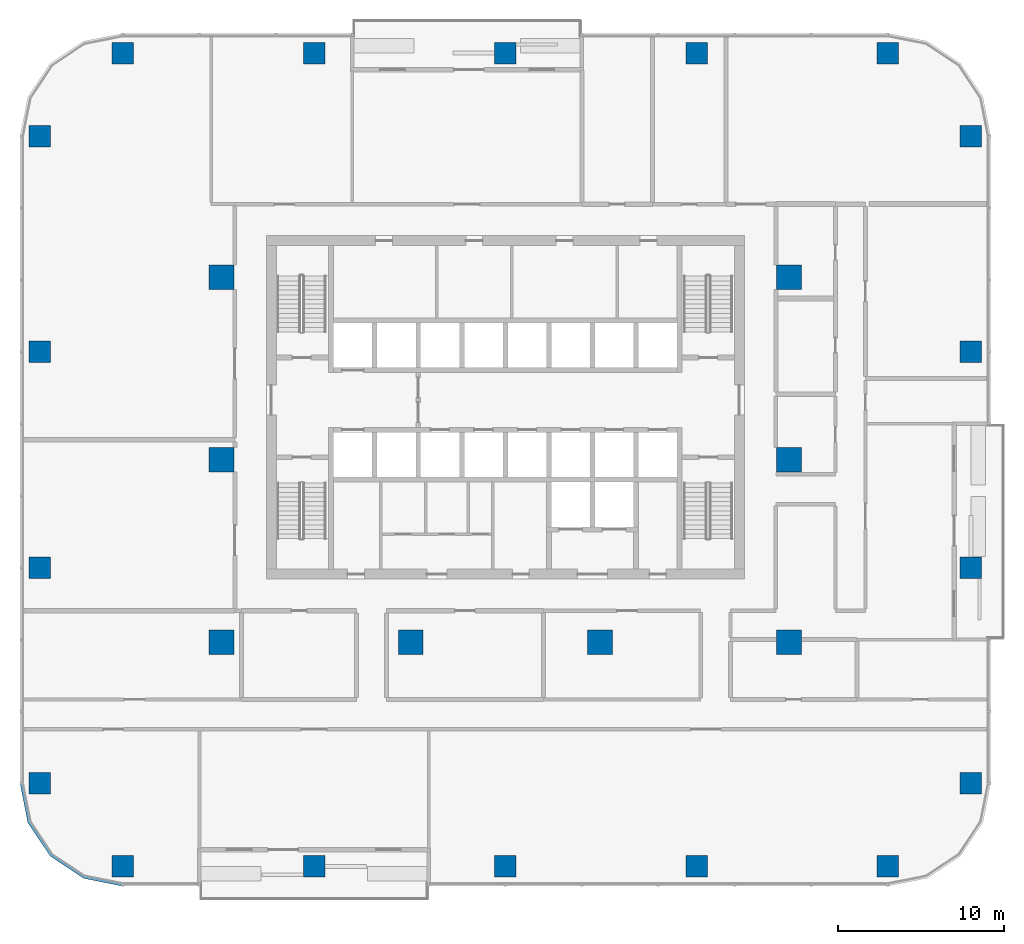
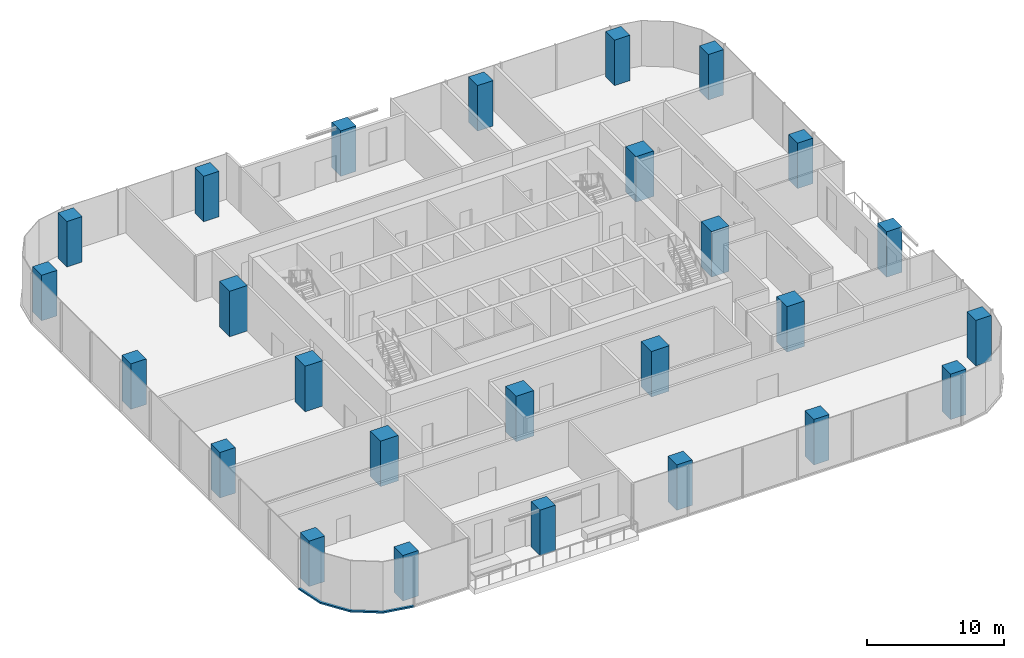
# One storey, part 1 of 14: 26 columns, 1 member, 1 element without a shape of its own.
"""IFC4 building model written with IfcOpenShell, lengths in metres."""

import ifcopenshell
import ifcopenshell.guid

model = None  # the IFC model being written
_history = None  # IfcOwnerHistory: only IFC2X3 demands one
_inside = {}  # id of a spatial element -> (the spatial element, [elements in it])
_under = {}  # id of a project, library or spatial element -> (it, [spatial elements below it])
_declared = {}  # id of a project -> (the project, [libraries it declares])
_typed = {}  # id of a type object -> (the type object, [elements of that type])
_made_of = {}  # id of a material, layer set ... -> (it, [elements and type objects made of it])


def new_model(schema):
    """Start an empty IFC model of exactly this schema.

    Asked for "IFC4X3", IfcOpenShell would pick the latest addendum, in which some entities
    have other attributes; the version numbers below select the first issue.
    IFC2X3 requires an IfcOwnerHistory on every rooted entity: one is made here for all.
    """
    global model, _history
    if schema == "IFC4X3":
        model = ifcopenshell.file(schema_version=(4, 3, 0, 0))
    else:
        model = ifcopenshell.file(schema=schema)
    _inside.clear()
    _under.clear()
    _declared.clear()
    _typed.clear()
    _made_of.clear()
    _history = None
    if model.schema == "IFC2X3":
        org = make("IfcOrganization", Name="unknown")
        user = make(
            "IfcPersonAndOrganization",
            ThePerson=make("IfcPerson", FamilyName="unknown"),
            TheOrganization=org,
        )
        app = make(
            "IfcApplication",
            ApplicationDeveloper=org,
            Version="unknown",
            ApplicationFullName="unknown",
            ApplicationIdentifier="unknown",
        )
        _history = make(
            "IfcOwnerHistory",
            OwningUser=user,
            OwningApplication=app,
            ChangeAction="ADDED",
            CreationDate=0,
        )
    return model


def make(cls, **values):
    """One entity of the class cls with the attributes given. An attribute that is None is left unset."""
    return model.create_entity(
        cls, **{name: value for name, value in values.items() if value is not None}
    )


def rooted(cls, **values):
    """An entity with a GlobalId (a new one), such as an element, a storey or a relation."""
    return make(cls, GlobalId=ifcopenshell.guid.new(), OwnerHistory=_history, **values)


def si_unit(unit_type, name, prefix=None):
    """IfcSIUnit, for example si_unit("LENGTHUNIT", "METRE", prefix="MILLI")."""
    return make("IfcSIUnit", UnitType=unit_type, Prefix=prefix, Name=name)


def assignment(units):
    """IfcUnitAssignment: the units of a project."""
    return None if units is None else make("IfcUnitAssignment", Units=units)


def point(xyz):
    """IfcCartesianPoint."""
    return None if xyz is None else make("IfcCartesianPoint", Coordinates=xyz)


def direction(xyz):
    """IfcDirection."""
    return None if xyz is None else make("IfcDirection", DirectionRatios=xyz)


def frame(location, z_axis=None, x_axis=None):
    """IfcAxis2Placement3D, a coordinate frame: its origin and axes. An axis left out is left unset."""
    return make(
        "IfcAxis2Placement3D",
        Location=point(location),
        Axis=direction(z_axis),
        RefDirection=direction(x_axis),
    )


def frame_2d(location, x_axis=None):
    """IfcAxis2Placement2D, a coordinate frame in the plane: its origin and x axis."""
    return make(
        "IfcAxis2Placement2D", Location=point(location), RefDirection=direction(x_axis)
    )


def origin():
    """The frame at (0, 0, 0) with its axes left unset."""
    return frame((0.0, 0.0, 0.0))


def origin_2d():
    """The frame at (0, 0) in the plane with its x axis left unset."""
    return frame_2d((0.0, 0.0))


def place(relative_to, where):
    """IfcLocalPlacement: puts the frame where relative to a parent placement (None: the world)."""
    return make(
        "IfcLocalPlacement", PlacementRelTo=relative_to, RelativePlacement=where
    )


def context(
    kind, dimensions, precision=None, world=None, true_north=None, identifier=None
):
    """IfcGeometricRepresentationContext, for example the 3D "Model" context."""
    return make(
        "IfcGeometricRepresentationContext",
        ContextIdentifier=identifier,
        ContextType=kind,
        CoordinateSpaceDimension=dimensions,
        Precision=precision,
        WorldCoordinateSystem=world,
        TrueNorth=true_north,
    )


def subcontext(parent, identifier, kind, view, scale=None):
    """IfcGeometricRepresentationSubContext, for example "Body" below "Model"."""
    return make(
        "IfcGeometricRepresentationSubContext",
        ContextIdentifier=identifier,
        ContextType=kind,
        ParentContext=parent,
        TargetScale=scale,
        TargetView=view,
    )


def project(units=None, contexts=None):
    """IfcProject with its units and contexts."""
    return rooted(
        "IfcProject",
        Name="project",
        RepresentationContexts=contexts,
        UnitsInContext=assignment(units),
    )


def spatial(cls, under=None, at=None, **own):
    """A site, building, storey or space (cls), placed at a placement, below another one or the project."""
    s = rooted(cls, ObjectPlacement=at, **own)
    if under is not None:
        _under.setdefault(under.id(), (under, []))[1].append(s)
    return s


def polyline(points):
    """IfcPolyline through the points."""
    return make("IfcPolyline", Points=[point(p) for p in points])


def profile(cls, at=None, kind="AREA", **sizes):
    """A parametric profile (cls). Its sizes go by their IFC names, for example OverallWidth=200.0."""
    return make(cls, ProfileType=kind, Position=at, **sizes)


def rectangle(**sizes):
    """IfcRectangleProfileDef."""
    return profile("IfcRectangleProfileDef", **sizes)


def outline(outer, holes=None, kind="AREA"):
    """IfcArbitraryClosedProfileDef: a profile drawn as a closed curve; with holes, ...WithVoids."""
    if holes is None:
        return make("IfcArbitraryClosedProfileDef", ProfileType=kind, OuterCurve=outer)
    return make(
        "IfcArbitraryProfileDefWithVoids",
        ProfileType=kind,
        OuterCurve=outer,
        InnerCurves=holes,
    )


def extrude(swept, where, along, depth):
    """IfcExtrudedAreaSolid: the profile swept, set in the frame where, extruded along a direction by depth."""
    return make(
        "IfcExtrudedAreaSolid",
        SweptArea=swept,
        Position=where,
        ExtrudedDirection=direction(along),
        Depth=depth,
    )


def shape(context_of_items, identifier, shape_type, items):
    """IfcShapeRepresentation: the items that make up one representation, for example the "Body"."""
    return make(
        "IfcShapeRepresentation",
        ContextOfItems=context_of_items,
        RepresentationIdentifier=identifier,
        RepresentationType=shape_type,
        Items=items,
    )


def material(Name=None, Category=None):
    """IfcMaterial."""
    return make("IfcMaterial", Name=Name, Category=Category)


def material_profile(
    of_material, cross_section, Name=None, Category=None, Priority=None
):
    """IfcMaterialProfile: a cross section and its material."""
    return make(
        "IfcMaterialProfile",
        Name=Name,
        Material=of_material,
        Profile=cross_section,
        Priority=Priority,
        Category=Category,
    )


def profile_set(profiles, Name=None, composite=None):
    """IfcMaterialProfileSet."""
    return make(
        "IfcMaterialProfileSet",
        Name=Name,
        MaterialProfiles=profiles,
        CompositeProfile=composite,
    )


def made_of(thing, what):
    """Note that an element or type object is made of a material, layer set ...; save() writes the relation."""
    if what is not None:
        _made_of.setdefault(what.id(), (what, []))[1].append(thing)
    return thing


def type_object(cls, material=None, **own):
    """A type object (cls), such as IfcWallType, which elements share."""
    return made_of(rooted(cls, **own), material)


def element(
    cls,
    number,
    at=None,
    inside=None,
    cuts=None,
    type_object=None,
    material=None,
    context=None,
    identifier="Body",
    shape_type=None,
    held_by="IfcProductDefinitionShape",
    body=None,
    shapes=None,
    **own,
):
    """One element of the class cls, such as IfcWall. Its Tag is "e" and its number.

    at: its placement. inside: the storey or other place that contains it. cuts: it is an
    opening in that element (IfcRelVoidsElement). A single representation is given by context,
    identifier, shape_type and body (its items); several are given by shapes. held_by: the class
    of the entity that holds the representations. save() writes the other relations.
    """
    e = rooted(cls, Tag="e%d" % number, ObjectPlacement=at, **own)
    if body is not None:
        shapes = [shape(context, identifier, shape_type, body)]
    if shapes is not None:
        e.Representation = make(held_by, Representations=shapes)
    if inside is not None:
        _inside.setdefault(inside.id(), (inside, []))[1].append(e)
    if cuts is not None:
        rooted(
            "IfcRelVoidsElement", RelatingBuildingElement=cuts, RelatedOpeningElement=e
        )
    if type_object is not None:
        _typed.setdefault(type_object.id(), (type_object, []))[1].append(e)
    return made_of(e, material)


def aggregate(whole, parts):
    """IfcRelAggregates: a whole, such as a stair, and the parts it consists of."""
    return rooted("IfcRelAggregates", RelatingObject=whole, RelatedObjects=parts)


def save(model, path):
    """Write the relations noted so far, then the file.

    IfcRelAggregates (storeys below a building ...), IfcRelContainedInSpatialStructure (elements
    in a storey), IfcRelDefinesByType, IfcRelAssociatesMaterial and IfcRelDeclares: one each for
    every whole, place, type object, material and project.
    """
    for whole, parts in _under.values():
        aggregate(whole, parts)
    for where, things in _inside.values():
        rooted(
            "IfcRelContainedInSpatialStructure",
            RelatedElements=things,
            RelatingStructure=where,
        )
    for kind, things in _typed.values():
        rooted("IfcRelDefinesByType", RelatedObjects=things, RelatingType=kind)
    for what, things in _made_of.values():
        rooted("IfcRelAssociatesMaterial", RelatedObjects=things, RelatingMaterial=what)
    for by, libraries in _declared.values():
        rooted("IfcRelDeclares", RelatingContext=by, RelatedDefinitions=libraries)
    model.write(path)


model = new_model("IFC4")

# Units and contexts
model_context = context("Model", 3, precision=1e-05, world=origin(), true_north=direction((0.0, 1.0)))
body_context = subcontext(model_context, "Body", "Model", "MODEL_VIEW")
ifc_project = project(units=[si_unit("LENGTHUNIT", "METRE"), si_unit("AREAUNIT", "SQUARE_METRE"), si_unit("VOLUMEUNIT", "CUBIC_METRE"), si_unit("PLANEANGLEUNIT", "RADIAN"), si_unit("MASSUNIT", "GRAM", prefix="KILO")], contexts=[model_context])

# Site, building, storey
site_placement = place(None, origin())
site = spatial("IfcSite", under=ifc_project, at=site_placement, CompositionType="ELEMENT")
building_placement = place(site_placement, origin())
building = spatial("IfcBuilding", under=site, at=building_placement, Name="Mopane Tessera Tower", CompositionType="ELEMENT")
storey_placement = place(building_placement, frame((0.0, 0.0, 130.60009765625)))
storey = spatial("IfcBuildingStorey", under=building, at=storey_placement, Name="L26", CompositionType="ELEMENT", Elevation=130.60009765625)

# Columns
ifc_material_1 = material(Name="Concrete C60/75", Category="concrete")
ifc_material_profile_1 = material_profile(ifc_material_1, rectangle(XDim=1.5, YDim=1.5, at=origin_2d()))
ifc_profile_set_1 = profile_set([ifc_material_profile_1], Name="Concrete C60/75")
column_type_1 = type_object("IfcColumnType", Name="Interior column 1500 x 1500 C60/75", PredefinedType="COLUMN", material=ifc_profile_set_1)
for number, where, z_axis, x_axis, name in (
    (1, (-17.10009765625, -11.0, 0.0), (0.0, 0.0, 1.0), (1.0, 0.0, 0.0), "Interior column I1A L26"),
    (2, (-17.10009765625, 0.0, 0.0), (0.0, 0.0, 1.0), (1.0, 0.0, 0.0), "Interior column I1B L26"),
    (3, (-17.10009765625, 11.0, 0.0), (0.0, 0.0, 1.0), (1.0, 0.0, 0.0), "Interior column I1C L26"),
    (4, (-5.699951171875, -11.0, 0.0), (0.0, 0.0, 1.0), (1.0, 0.0, 0.0), "Interior column I2A L26"),
    (5, (5.699951171875, -11.0, 0.0), (0.0, 0.0, 1.0), (1.0, 0.0, 0.0), "Interior column I3A L26"),
    (6, (17.10009765625, -11.0, 0.0), (0.0, 0.0, 1.0), (1.0, 0.0, 0.0), "Interior column I4A L26"),
    (7, (17.10009765625, 0.0, 0.0), (0.0, 0.0, 1.0), (1.0, 0.0, 0.0), "Interior column I4B L26"),
    (8, (17.10009765625, 11.0, 0.0), (0.0, 0.0, 1.0), (1.0, 0.0, 0.0), "Interior column I4C L26"),
):
    element("IfcColumn", number, at=place(storey_placement, frame(where, z_axis=z_axis, x_axis=x_axis)), inside=storey, type_object=column_type_1, Name=name, PredefinedType="COLUMN", context=body_context, shape_type="SweptSolid", body=[
        extrude(rectangle(XDim=1.5, YDim=1.5, at=origin_2d()), origin(), (0.0, 0.0, 1.0), 4.0498046875),
    ])
ifc_material_2 = material(Name="Concrete C60/75", Category="concrete")
ifc_material_profile_2 = material_profile(ifc_material_2, rectangle(XDim=1.300048828125, YDim=1.300048828125, at=origin_2d()))
ifc_profile_set_2 = profile_set([ifc_material_profile_2], Name="Concrete C60/75")
column_type_2 = type_object("IfcColumnType", Name="Ring column 1300 x 1300 C60/75", PredefinedType="COLUMN", material=ifc_profile_set_2)
for number, where, z_axis, x_axis, name in (
    (9, (-23.050048828125, -24.5, 0.0), (0.0, 0.0, 1.0), (1.0, 0.0, 0.0), "Ring column S0 L26"),
    (10, (-11.52490234375, -24.5, 0.0), (0.0, 0.0, 1.0), (1.0, 0.0, 0.0), "Ring column S1 L26"),
    (11, (0.0, -24.5, 0.0), (0.0, 0.0, 1.0), (1.0, 0.0, 0.0), "Ring column S2 L26"),
    (12, (11.52490234375, -24.5, 0.0), (0.0, 0.0, 1.0), (1.0, 0.0, 0.0), "Ring column S3 L26"),
    (13, (23.050048828125, -24.5, 0.0), (0.0, 0.0, 1.0), (1.0, 0.0, 0.0), "Ring column S4 L26"),
    (14, (28.050048828125, -19.5, 0.0), (0.0, 0.0, 1.0), (1.0, 0.0, 0.0), "Ring column E0 L26"),
    (15, (28.050048828125, -6.5, 0.0), (0.0, 0.0, 1.0), (1.0, 0.0, 0.0), "Ring column E1 L26"),
    (16, (28.050048828125, 6.5, 0.0), (0.0, 0.0, 1.0), (1.0, 0.0, 0.0), "Ring column E2 L26"),
    (17, (28.050048828125, 19.5, 0.0), (0.0, 0.0, 1.0), (1.0, 0.0, 0.0), "Ring column E3 L26"),
    (18, (23.050048828125, 24.5, 0.0), (0.0, 0.0, 1.0), (1.0, 0.0, 0.0), "Ring column N0 L26"),
    (19, (11.52490234375, 24.5, 0.0), (0.0, 0.0, 1.0), (1.0, 0.0, 0.0), "Ring column N1 L26"),
    (20, (0.0, 24.5, 0.0), (0.0, 0.0, 1.0), (1.0, 0.0, 0.0), "Ring column N2 L26"),
    (21, (-11.52490234375, 24.5, 0.0), (0.0, 0.0, 1.0), (1.0, 0.0, 0.0), "Ring column N3 L26"),
    (22, (-23.050048828125, 24.5, 0.0), (0.0, 0.0, 1.0), (1.0, 0.0, 0.0), "Ring column N4 L26"),
    (23, (-28.050048828125, 19.5, 0.0), (0.0, 0.0, 1.0), (1.0, 0.0, 0.0), "Ring column W0 L26"),
    (24, (-28.050048828125, 6.5, 0.0), (0.0, 0.0, 1.0), (1.0, 0.0, 0.0), "Ring column W1 L26"),
    (25, (-28.050048828125, -6.5, 0.0), (0.0, 0.0, 1.0), (1.0, 0.0, 0.0), "Ring column W2 L26"),
    (26, (-28.050048828125, -19.5, 0.0), (0.0, 0.0, 1.0), (1.0, 0.0, 0.0), "Ring column W3 L26"),
):
    element("IfcColumn", number, at=place(storey_placement, frame(where, z_axis=z_axis, x_axis=x_axis)), inside=storey, type_object=column_type_2, Name=name, PredefinedType="COLUMN", context=body_context, shape_type="SweptSolid", body=[
        extrude(rectangle(XDim=1.300048828125, YDim=1.300048828125, at=origin_2d()), origin(), (0.0, 0.0, 1.0), 4.0498046875),
    ])

# Curtain wall, member
ifc_material_3 = material(Name="Aluminium frame", Category="aluminium")
curtain_wall_type = type_object("IfcCurtainWallType", Name="Lower tower unitised wall", PredefinedType="NOTDEFINED", material=ifc_material_3)
curtain_wall_placement = place(storey_placement, origin())
curtain_wall = element("IfcCurtainWall", 27, at=curtain_wall_placement, inside=storey, type_object=curtain_wall_type, Name="e:cw:L26:CW", PredefinedType="NOTDEFINED")
ifc_material_4 = material(Name="Aluminium frame", Category="aluminium")
ifc_material_profile_3 = material_profile(ifc_material_4, rectangle(XDim=0.199951171875, YDim=0.139892578125, at=origin_2d()))
ifc_profile_set_3 = profile_set([ifc_material_profile_3], Name="Aluminium frame")
member_type = type_object("IfcMemberType", Name="Aluminium transom 200 x 140", PredefinedType="USERDEFINED", material=ifc_profile_set_3)
member_placement = place(storey_placement, frame((0.0, 0.0, -0.4501953125)))
member = element("IfcMember", 28, at=member_placement, type_object=member_type, Name="e:cw:L26:CW:tr", ObjectType="TRANSOM", PredefinedType="USERDEFINED", context=body_context, shape_type="SweptSolid", body=[
    extrude(outline(polyline([(-29.050048828125, -19.5), (-28.59326171875, -21.796142578125), (-27.292724609375, -23.74267578125), (-25.34619140625, -25.043212890625), (-23.050048828125, -25.5), (-23.050048828125, -25.699951171875), (-25.422607421875, -25.22802734375), (-27.43408203125, -23.884033203125), (-28.778076171875, -21.87255859375), (-29.25, -19.5), (-29.050048828125, -19.5)])), origin(), (0.0, 0.0, 1.0), 0.14013671875),
])
aggregate(curtain_wall, [member])

save(model, "model.ifc")
